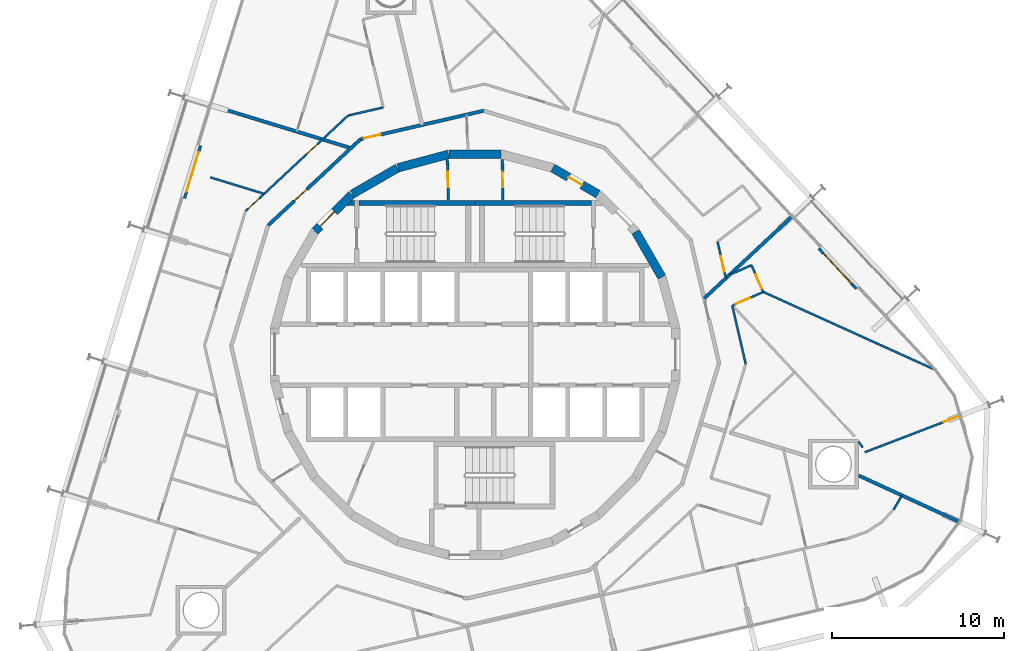
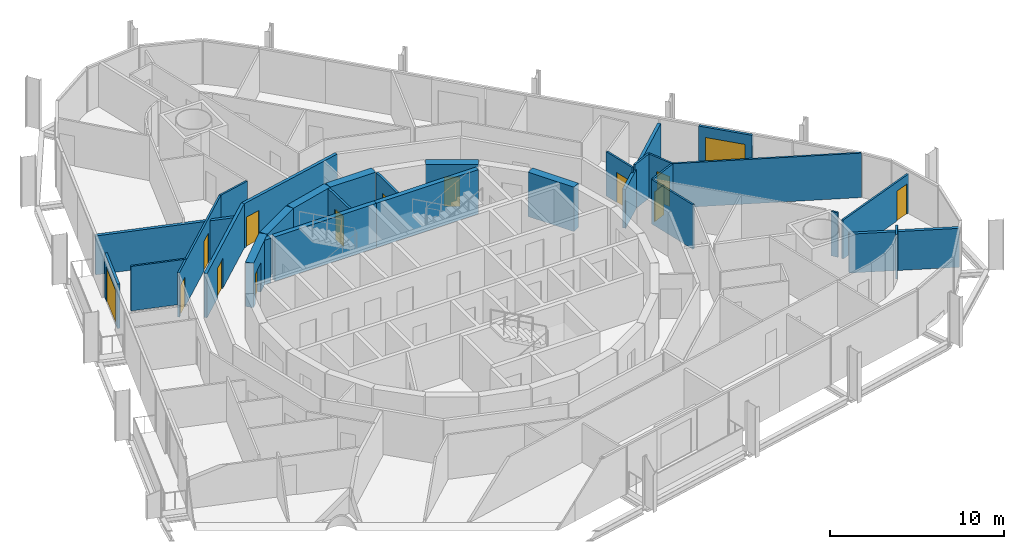
# One storey, part 15 of 18: 30 walls, 14 doors, 14 openings.
"""IFC4 building model written with IfcOpenShell, lengths in metres."""

import ifcopenshell
import ifcopenshell.guid

model = None  # the IFC model being written
_history = None  # IfcOwnerHistory: only IFC2X3 demands one
_inside = {}  # id of a spatial element -> (the spatial element, [elements in it])
_under = {}  # id of a project, library or spatial element -> (it, [spatial elements below it])
_declared = {}  # id of a project -> (the project, [libraries it declares])
_typed = {}  # id of a type object -> (the type object, [elements of that type])
_made_of = {}  # id of a material, layer set ... -> (it, [elements and type objects made of it])


def new_model(schema):
    """Start an empty IFC model of exactly this schema.

    Asked for "IFC4X3", IfcOpenShell would pick the latest addendum, in which some entities
    have other attributes; the version numbers below select the first issue.
    IFC2X3 requires an IfcOwnerHistory on every rooted entity: one is made here for all.
    """
    global model, _history
    if schema == "IFC4X3":
        model = ifcopenshell.file(schema_version=(4, 3, 0, 0))
    else:
        model = ifcopenshell.file(schema=schema)
    _inside.clear()
    _under.clear()
    _declared.clear()
    _typed.clear()
    _made_of.clear()
    _history = None
    if model.schema == "IFC2X3":
        org = make("IfcOrganization", Name="unknown")
        user = make(
            "IfcPersonAndOrganization",
            ThePerson=make("IfcPerson", FamilyName="unknown"),
            TheOrganization=org,
        )
        app = make(
            "IfcApplication",
            ApplicationDeveloper=org,
            Version="unknown",
            ApplicationFullName="unknown",
            ApplicationIdentifier="unknown",
        )
        _history = make(
            "IfcOwnerHistory",
            OwningUser=user,
            OwningApplication=app,
            ChangeAction="ADDED",
            CreationDate=0,
        )
    return model


def make(cls, **values):
    """One entity of the class cls with the attributes given. An attribute that is None is left unset."""
    return model.create_entity(
        cls, **{name: value for name, value in values.items() if value is not None}
    )


def rooted(cls, **values):
    """An entity with a GlobalId (a new one), such as an element, a storey or a relation."""
    return make(cls, GlobalId=ifcopenshell.guid.new(), OwnerHistory=_history, **values)


def si_unit(unit_type, name, prefix=None):
    """IfcSIUnit, for example si_unit("LENGTHUNIT", "METRE", prefix="MILLI")."""
    return make("IfcSIUnit", UnitType=unit_type, Prefix=prefix, Name=name)


def assignment(units):
    """IfcUnitAssignment: the units of a project."""
    return None if units is None else make("IfcUnitAssignment", Units=units)


def point(xyz):
    """IfcCartesianPoint."""
    return None if xyz is None else make("IfcCartesianPoint", Coordinates=xyz)


def direction(xyz):
    """IfcDirection."""
    return None if xyz is None else make("IfcDirection", DirectionRatios=xyz)


def frame(location, z_axis=None, x_axis=None):
    """IfcAxis2Placement3D, a coordinate frame: its origin and axes. An axis left out is left unset."""
    return make(
        "IfcAxis2Placement3D",
        Location=point(location),
        Axis=direction(z_axis),
        RefDirection=direction(x_axis),
    )


def frame_2d(location, x_axis=None):
    """IfcAxis2Placement2D, a coordinate frame in the plane: its origin and x axis."""
    return make(
        "IfcAxis2Placement2D", Location=point(location), RefDirection=direction(x_axis)
    )


def origin():
    """The frame at (0, 0, 0) with its axes left unset."""
    return frame((0.0, 0.0, 0.0))


def place(relative_to, where):
    """IfcLocalPlacement: puts the frame where relative to a parent placement (None: the world)."""
    return make(
        "IfcLocalPlacement", PlacementRelTo=relative_to, RelativePlacement=where
    )


def context(
    kind, dimensions, precision=None, world=None, true_north=None, identifier=None
):
    """IfcGeometricRepresentationContext, for example the 3D "Model" context."""
    return make(
        "IfcGeometricRepresentationContext",
        ContextIdentifier=identifier,
        ContextType=kind,
        CoordinateSpaceDimension=dimensions,
        Precision=precision,
        WorldCoordinateSystem=world,
        TrueNorth=true_north,
    )


def subcontext(parent, identifier, kind, view, scale=None):
    """IfcGeometricRepresentationSubContext, for example "Body" below "Model"."""
    return make(
        "IfcGeometricRepresentationSubContext",
        ContextIdentifier=identifier,
        ContextType=kind,
        ParentContext=parent,
        TargetScale=scale,
        TargetView=view,
    )


def project(units=None, contexts=None):
    """IfcProject with its units and contexts."""
    return rooted(
        "IfcProject",
        Name="project",
        RepresentationContexts=contexts,
        UnitsInContext=assignment(units),
    )


def spatial(cls, under=None, at=None, **own):
    """A site, building, storey or space (cls), placed at a placement, below another one or the project."""
    s = rooted(cls, ObjectPlacement=at, **own)
    if under is not None:
        _under.setdefault(under.id(), (under, []))[1].append(s)
    return s


def polyline(points):
    """IfcPolyline through the points."""
    return make("IfcPolyline", Points=[point(p) for p in points])


def profile(cls, at=None, kind="AREA", **sizes):
    """A parametric profile (cls). Its sizes go by their IFC names, for example OverallWidth=200.0."""
    return make(cls, ProfileType=kind, Position=at, **sizes)


def rectangle(**sizes):
    """IfcRectangleProfileDef."""
    return profile("IfcRectangleProfileDef", **sizes)


def outline(outer, holes=None, kind="AREA"):
    """IfcArbitraryClosedProfileDef: a profile drawn as a closed curve; with holes, ...WithVoids."""
    if holes is None:
        return make("IfcArbitraryClosedProfileDef", ProfileType=kind, OuterCurve=outer)
    return make(
        "IfcArbitraryProfileDefWithVoids",
        ProfileType=kind,
        OuterCurve=outer,
        InnerCurves=holes,
    )


def extrude(swept, where, along, depth):
    """IfcExtrudedAreaSolid: the profile swept, set in the frame where, extruded along a direction by depth."""
    return make(
        "IfcExtrudedAreaSolid",
        SweptArea=swept,
        Position=where,
        ExtrudedDirection=direction(along),
        Depth=depth,
    )


def shape(context_of_items, identifier, shape_type, items):
    """IfcShapeRepresentation: the items that make up one representation, for example the "Body"."""
    return make(
        "IfcShapeRepresentation",
        ContextOfItems=context_of_items,
        RepresentationIdentifier=identifier,
        RepresentationType=shape_type,
        Items=items,
    )


def material(Name=None, Category=None):
    """IfcMaterial."""
    return make("IfcMaterial", Name=Name, Category=Category)


def layer(
    of_material, thickness, ventilated=None, Name=None, Category=None, Priority=None
):
    """IfcMaterialLayer: one layer of a wall or slab, of a material (None: an air gap)."""
    return make(
        "IfcMaterialLayer",
        Material=of_material,
        LayerThickness=thickness,
        IsVentilated=ventilated,
        Name=Name,
        Category=Category,
        Priority=Priority,
    )


def layer_set(layers, Name=None):
    """IfcMaterialLayerSet."""
    return make("IfcMaterialLayerSet", MaterialLayers=layers, LayerSetName=Name)


def made_of(thing, what):
    """Note that an element or type object is made of a material, layer set ...; save() writes the relation."""
    if what is not None:
        _made_of.setdefault(what.id(), (what, []))[1].append(thing)
    return thing


def type_object(cls, material=None, **own):
    """A type object (cls), such as IfcWallType, which elements share."""
    return made_of(rooted(cls, **own), material)


def element(
    cls,
    number,
    at=None,
    inside=None,
    cuts=None,
    type_object=None,
    material=None,
    context=None,
    identifier="Body",
    shape_type=None,
    held_by="IfcProductDefinitionShape",
    body=None,
    shapes=None,
    **own,
):
    """One element of the class cls, such as IfcWall. Its Tag is "e" and its number.

    at: its placement. inside: the storey or other place that contains it. cuts: it is an
    opening in that element (IfcRelVoidsElement). A single representation is given by context,
    identifier, shape_type and body (its items); several are given by shapes. held_by: the class
    of the entity that holds the representations. save() writes the other relations.
    """
    e = rooted(cls, Tag="e%d" % number, ObjectPlacement=at, **own)
    if body is not None:
        shapes = [shape(context, identifier, shape_type, body)]
    if shapes is not None:
        e.Representation = make(held_by, Representations=shapes)
    if inside is not None:
        _inside.setdefault(inside.id(), (inside, []))[1].append(e)
    if cuts is not None:
        rooted(
            "IfcRelVoidsElement", RelatingBuildingElement=cuts, RelatedOpeningElement=e
        )
    if type_object is not None:
        _typed.setdefault(type_object.id(), (type_object, []))[1].append(e)
    return made_of(e, material)


def fill(opening, filler):
    """IfcRelFillsElement: the door or window that sits in an opening."""
    return rooted(
        "IfcRelFillsElement",
        RelatingOpeningElement=opening,
        RelatedBuildingElement=filler,
    )


def aggregate(whole, parts):
    """IfcRelAggregates: a whole, such as a stair, and the parts it consists of."""
    return rooted("IfcRelAggregates", RelatingObject=whole, RelatedObjects=parts)


def save(model, path):
    """Write the relations noted so far, then the file.

    IfcRelAggregates (storeys below a building ...), IfcRelContainedInSpatialStructure (elements
    in a storey), IfcRelDefinesByType, IfcRelAssociatesMaterial and IfcRelDeclares: one each for
    every whole, place, type object, material and project.
    """
    for whole, parts in _under.values():
        aggregate(whole, parts)
    for where, things in _inside.values():
        rooted(
            "IfcRelContainedInSpatialStructure",
            RelatedElements=things,
            RelatingStructure=where,
        )
    for kind, things in _typed.values():
        rooted("IfcRelDefinesByType", RelatedObjects=things, RelatingType=kind)
    for what, things in _made_of.values():
        rooted("IfcRelAssociatesMaterial", RelatedObjects=things, RelatingMaterial=what)
    for by, libraries in _declared.values():
        rooted("IfcRelDeclares", RelatingContext=by, RelatedDefinitions=libraries)
    model.write(path)


model = new_model("IFC4")

# Units and contexts
model_context = context("Model", 3, precision=1e-05, world=origin(), true_north=direction((0.0, 1.0)))
body_context = subcontext(model_context, "Body", "Model", "MODEL_VIEW")
ifc_project = project(units=[si_unit("LENGTHUNIT", "METRE"), si_unit("AREAUNIT", "SQUARE_METRE"), si_unit("VOLUMEUNIT", "CUBIC_METRE"), si_unit("PLANEANGLEUNIT", "RADIAN"), si_unit("MASSUNIT", "GRAM", prefix="KILO")], contexts=[model_context])

# Site, building, storey
site_placement = place(None, origin())
site = spatial("IfcSite", under=ifc_project, at=site_placement, CompositionType="ELEMENT")
building_placement = place(site_placement, origin())
building = spatial("IfcBuilding", under=site, at=building_placement, Name="Spindle Arch Residences", CompositionType="ELEMENT")
storey_placement = place(building_placement, frame((0.0, 0.0, 123.89990234375)))
storey = spatial("IfcBuildingStorey", under=building, at=storey_placement, Name="L30", CompositionType="ELEMENT", Elevation=123.89990234375)

# Wall
ifc_material_1 = material(Name="Concrete C50/60", Category="concrete")
ifc_layer_1 = layer(ifc_material_1, 0.5)
ifc_layer_set_1 = layer_set([ifc_layer_1], Name="Core outline wall 500")
wall_type_1 = type_object("IfcWallType", Name="Core outline wall 500", PredefinedType="SHEAR", material=ifc_layer_set_1)
wall_1_placement = place(storey_placement, frame((10.84521484375, 4.510498046875, 0.0), z_axis=(0.0, 0.0, 1.0), x_axis=(-0.500087131594, 0.865975092491, 0.0)))
element("IfcWall", 1, at=wall_1_placement, inside=storey, type_object=wall_type_1, Name="Core outline wall 8", PredefinedType="SHEAR", context=body_context, shape_type="SweptSolid", body=[
    extrude(rectangle(XDim=3.03271484375, YDim=0.5, at=frame_2d((1.516357421875, 0.0))), origin(), (0.0, 0.0, 1.0), 3.1201171875),
])

# Wall, opening, door
wall_2_placement = place(storey_placement, frame((7.13671875, 9.32861328125, 0.0), z_axis=(0.0, 0.0, 1.0), x_axis=(-0.865975092491, 0.500087131594, 0.0)))
wall_2 = element("IfcWall", 2, at=wall_2_placement, inside=storey, type_object=wall_type_1, Name="Core outline wall 10", PredefinedType="SHEAR", context=body_context, shape_type="SweptSolid", body=[
    extrude(rectangle(XDim=3.03271484375, YDim=0.5, at=frame_2d((1.516357421875, 0.0))), origin(), (0.0, 0.0, 1.0), 3.1201171875),
])
opening_1_placement = place(wall_2_placement, frame((1.06640625, 0.0, 0.0)))
opening_1 = element("IfcOpeningElement", 3, at=opening_1_placement, cuts=wall_2, Name="Opening R3B1-WD11", PredefinedType="OPENING", context=body_context, shape_type="SweptSolid", body=[
    extrude(rectangle(XDim=0.89990234375, YDim=2.10009765625, at=frame_2d((0.449951171875, 1.050048828125))), frame((0.0, 0.260009765625, 0.0), z_axis=(0.0, -1.0, 0.0), x_axis=(1.0, 0.0, 0.0)), (0.0, 0.0, 1.0), 0.52001953125),
])
ifc_material_2 = material(Name="Steel, fire-resisting door", Category="steel")
door_type_1 = type_object("IfcDoorType", Name="Service room door 900x2100", OperationType="SINGLE_SWING_LEFT", PredefinedType="DOOR", material=ifc_material_2)
door_1_placement = place(opening_1_placement, origin())
door_1 = element("IfcDoor", 4, at=door_1_placement, inside=storey, type_object=door_type_1, Name="Service room door R3B1-WD11", OperationType="SINGLE_SWING_RIGHT", OverallHeight=2.10009765625, OverallWidth=0.89990234375, PredefinedType="DOOR", context=body_context, shape_type="SweptSolid", body=[
    extrude(rectangle(XDim=0.89990234375, YDim=2.10009765625, at=frame_2d((0.449951171875, 1.050048828125))), frame((0.0, 0.02490234375, 0.0), z_axis=(0.0, -1.0, 0.0), x_axis=(1.0, 0.0, 0.0)), (0.0, 0.0, 1.0), 0.050048828125),
])
fill(opening_1, door_1)

# Walls
for number, where, z_axis, x_axis, name in (
    (5, (1.516357421875, 11.647216796875, 0.0), (0.0, 0.0, 1.0), (-1.0, 0.0, 0.0), "Core outline wall 12"),
    (6, (-1.5498046875, 11.642822265625, 0.0), (0.0, 0.0, 1.0), (-0.965948410781, -0.258734743916, 0.0), "Core outline wall 13"),
    (7, (-4.510498046875, 10.84521484375, 0.0), (0.0, 0.0, 1.0), (-0.865975092491, -0.500087131594, 0.0), "Core outline wall 14"),
):
    element("IfcWall", number, at=place(storey_placement, frame(where, z_axis=z_axis, x_axis=x_axis)), inside=storey, type_object=wall_type_1, Name=name, PredefinedType="SHEAR", context=body_context, shape_type="SweptSolid", body=[
        extrude(rectangle(XDim=3.03271484375, YDim=0.5, at=frame_2d((1.516357421875, 0.0))), origin(), (0.0, 0.0, 1.0), 3.1201171875),
    ])

# Wall, opening, door
wall_3_placement = place(storey_placement, frame((-7.163818359375, 9.30810546875, 0.0), z_axis=(0.0, 0.0, 1.0), x_axis=(-0.707106781187, -0.707106781187, 0.0)))
wall_3 = element("IfcWall", 8, at=wall_3_placement, inside=storey, type_object=wall_type_1, Name="Core outline wall 15", PredefinedType="SHEAR", context=body_context, shape_type="SweptSolid", body=[
    extrude(rectangle(XDim=3.032470703125, YDim=0.5, at=frame_2d((1.51611328125, 0.0))), origin(), (0.0, 0.0, 1.0), 3.1201171875),
])
opening_2_placement = place(wall_3_placement, frame((1.416259765625, 0.0, 0.0)))
opening_2 = element("IfcOpeningElement", 9, at=opening_2_placement, cuts=wall_3, Name="Opening R3B1-AD02", PredefinedType="OPENING", context=body_context, shape_type="SweptSolid", body=[
    extrude(rectangle(XDim=1.199951171875, YDim=2.10009765625, at=frame_2d((0.60009765625, 1.050048828125))), frame((0.0, 0.260009765625, 0.0), z_axis=(0.0, -1.0, 0.0), x_axis=(1.0, 0.0, 0.0)), (0.0, 0.0, 1.0), 0.52001953125),
])
ifc_material_3 = material(Name="Steel, fire-resisting door", Category="steel")
door_type_2 = type_object("IfcDoorType", Name="Stair airlock door 1200x2100", OperationType="SINGLE_SWING_LEFT", PredefinedType="DOOR", material=ifc_material_3)
door_2_placement = place(opening_2_placement, origin())
door_2 = element("IfcDoor", 10, at=door_2_placement, inside=storey, type_object=door_type_2, Name="Stair airlock door R3B1-AD02", OperationType="SINGLE_SWING_RIGHT", OverallHeight=2.10009765625, OverallWidth=1.199951171875, PredefinedType="DOOR", context=body_context, shape_type="SweptSolid", body=[
    extrude(rectangle(XDim=1.199951171875, YDim=2.10009765625, at=frame_2d((0.60009765625, 1.050048828125))), frame((0.0, 0.02490234375, 0.0), z_axis=(0.0, -1.0, 0.0), x_axis=(1.0, 0.0, 0.0)), (0.0, 0.0, 1.0), 0.050048828125),
])
fill(opening_2, door_2)

ifc_material_4 = material(Name="Calcium silicate block, plastered")
ifc_layer_2 = layer(ifc_material_4, 0.199951171875)
ifc_layer_set_2 = layer_set([ifc_layer_2], Name="Corridor wall 200")
wall_type_2 = type_object("IfcWallType", Name="Corridor wall 200", PredefinedType="STANDARD", material=ifc_layer_set_2)
wall_4_placement = place(storey_placement, frame((0.4951171875, 14.174560546875, 0.0), z_axis=(0.0, 0.0, 1.0), x_axis=(-0.974376622151, -0.224922649383, 0.0)))
wall_4 = element("IfcWall", 11, at=wall_4_placement, inside=storey, type_object=wall_type_2, Name="Corridor wall R3B1-W007", PredefinedType="STANDARD", context=body_context, shape_type="SweptSolid", body=[
    extrude(rectangle(XDim=7.342041015625, YDim=0.199951171875, at=frame_2d((3.6708984375, 0.0))), origin(), (0.0, 0.0, 1.0), 3.1201171875),
])
opening_3_placement = place(wall_4_placement, frame((6.141845703125, 0.0, 0.0)))
opening_3 = element("IfcOpeningElement", 12, at=opening_3_placement, cuts=wall_4, Name="Opening R3B1-FD02", PredefinedType="OPENING", context=body_context, shape_type="SweptSolid", body=[
    extrude(rectangle(XDim=1.0, YDim=2.10009765625, at=frame_2d((0.5, 1.050048828125))), frame((0.0, 0.10986328125, 0.0), z_axis=(0.0, -1.0, 0.0), x_axis=(1.0, 0.0, 0.0)), (0.0, 0.0, 1.0), 0.219970703125),
])
ifc_material_5 = material(Name="Timber, fire-resisting door set", Category="wood")
door_type_3 = type_object("IfcDoorType", Name="Flat entrance door 1000x2100", OperationType="NOTDEFINED", PredefinedType="DOOR", material=ifc_material_5)
door_3_placement = place(opening_3_placement, origin())
door_3 = element("IfcDoor", 13, at=door_3_placement, inside=storey, type_object=door_type_3, Name="Flat entrance door R3B1-FD02", OperationType="SINGLE_SWING_LEFT", OverallHeight=2.10009765625, OverallWidth=1.0, PredefinedType="DOOR", context=body_context, shape_type="SweptSolid", body=[
    extrude(rectangle(XDim=1.0, YDim=2.10009765625, at=frame_2d((0.5, 1.050048828125))), frame((0.0, 0.02490234375, 0.0), z_axis=(0.0, -1.0, 0.0), x_axis=(1.0, 0.0, 0.0)), (0.0, 0.0, 1.0), 0.050048828125),
])
fill(opening_3, door_3)

wall_5_placement = place(storey_placement, frame((-6.65869140625, 12.523193359375, 0.0), z_axis=(0.0, 0.0, 1.0), x_axis=(-0.731350455479, -0.682001841105, 0.0)))
wall_5 = element("IfcWall", 14, at=wall_5_placement, inside=storey, type_object=wall_type_2, Name="Corridor wall R3B1-W009", PredefinedType="STANDARD", context=body_context, shape_type="SweptSolid", body=[
    extrude(rectangle(XDim=7.341796875, YDim=0.199951171875, at=frame_2d((3.6708984375, 0.0))), origin(), (0.0, 0.0, 1.0), 3.1201171875),
])
opening_4_placement = place(wall_5_placement, frame((4.26416015625, 0.0, 0.0)))
opening_4 = element("IfcOpeningElement", 15, at=opening_4_placement, cuts=wall_5, Name="Opening R3B1-FD03", PredefinedType="OPENING", context=body_context, shape_type="SweptSolid", body=[
    extrude(rectangle(XDim=1.0, YDim=2.10009765625, at=frame_2d((0.5, 1.050048828125))), frame((0.0, 0.10986328125, 0.0), z_axis=(0.0, -1.0, 0.0), x_axis=(1.0, 0.0, 0.0)), (0.0, 0.0, 1.0), 0.219970703125),
])
door_4_placement = place(opening_4_placement, origin())
door_4 = element("IfcDoor", 16, at=door_4_placement, inside=storey, type_object=door_type_3, Name="Flat entrance door R3B1-FD03", OperationType="SINGLE_SWING_LEFT", OverallHeight=2.10009765625, OverallWidth=1.0, PredefinedType="DOOR", context=body_context, shape_type="SweptSolid", body=[
    extrude(rectangle(XDim=1.0, YDim=2.10009765625, at=frame_2d((0.5, 1.050048828125))), frame((0.0, 0.02490234375, 0.0), z_axis=(0.0, -1.0, 0.0), x_axis=(1.0, 0.0, 0.0)), (0.0, 0.0, 1.0), 0.050048828125),
])
fill(opening_4, door_4)

ifc_material_6 = material(Name="Plasterboard on steel studs", Category="steel")
ifc_layer_3 = layer(ifc_material_6, 0.1201171875)
ifc_layer_set_3 = layer_set([ifc_layer_3], Name="Flat partition 120")
wall_type_3 = type_object("IfcWallType", Name="Flat partition 120", PredefinedType="PARTITIONING", material=ifc_layer_set_3)
wall_6_placement = place(storey_placement, frame((14.5732421875, 4.447021484375, 0.0), z_axis=(0.0, 0.0, 1.0), x_axis=(-0.225006886074, 0.97435717333, 0.0)))
wall_6 = element("IfcWall", 17, at=wall_6_placement, inside=storey, type_object=wall_type_3, Name="Flat partition R3B1-W027", PredefinedType="PARTITIONING", context=body_context, shape_type="SweptSolid", body=[
    extrude(rectangle(XDim=2.177734375, YDim=0.1201171875, at=frame_2d((1.0888671875, 0.0))), origin(), (0.0, 0.0, 1.0), 3.1201171875),
])
opening_5_placement = place(wall_6_placement, frame((0.39990234375, 0.0, 0.0)))
opening_5 = element("IfcOpeningElement", 18, at=opening_5_placement, cuts=wall_6, Name="Opening R3B1-ID01", PredefinedType="OPENING", context=body_context, shape_type="SweptSolid", body=[
    extrude(rectangle(XDim=0.89990234375, YDim=2.10009765625, at=frame_2d((0.449951171875, 1.050048828125))), frame((0.0, 0.070068359375, 0.0), z_axis=(0.0, -1.0, 0.0), x_axis=(1.0, 0.0, 0.0)), (0.0, 0.0, 1.0), 0.14013671875),
])
ifc_material_7 = material(Name="Timber door set", Category="wood")
door_type_4 = type_object("IfcDoorType", Name="Room door 900x2100", OperationType="NOTDEFINED", PredefinedType="DOOR", material=ifc_material_7)
door_5_placement = place(opening_5_placement, origin())
door_5 = element("IfcDoor", 19, at=door_5_placement, inside=storey, type_object=door_type_4, Name="Room door R3B1-ID01", OperationType="SINGLE_SWING_LEFT", OverallHeight=2.10009765625, OverallWidth=0.89990234375, PredefinedType="DOOR", context=body_context, shape_type="SweptSolid", body=[
    extrude(rectangle(XDim=0.89990234375, YDim=2.10009765625, at=frame_2d((0.449951171875, 1.050048828125))), frame((0.0, 0.02490234375, 0.0), z_axis=(0.0, -1.0, 0.0), x_axis=(1.0, 0.0, 0.0)), (0.0, 0.0, 1.0), 0.050048828125),
])
fill(opening_5, door_5)

# Wall
wall_7_placement = place(storey_placement, frame((-5.341552734375, 14.36669921875, 0.0), z_axis=(0.0, 0.0, 1.0), x_axis=(-0.974367677287, -0.224961395484, 0.0)))
element("IfcWall", 20, at=wall_7_placement, inside=storey, type_object=wall_type_3, Name="Flat partition R3B1-W049", PredefinedType="PARTITIONING", context=body_context, shape_type="SweptSolid", body=[
    extrude(rectangle(XDim=2.099853515625, YDim=0.1201171875, at=frame_2d((1.0498046875, 0.0))), origin(), (0.0, 0.0, 1.0), 3.1201171875),
])

# Wall, openings, doors
wall_8_placement = place(storey_placement, frame((-7.3876953125, 13.894287109375, 0.0), z_axis=(0.0, 0.0, 1.0), x_axis=(-0.731357186721, -0.681994622729, 0.0)))
wall_8 = element("IfcWall", 21, at=wall_8_placement, inside=storey, type_object=wall_type_3, Name="Flat partition R3B1-W050", PredefinedType="PARTITIONING", context=body_context, shape_type="SweptSolid", body=[
    extrude(rectangle(XDim=8.145751953125, YDim=0.1201171875, at=frame_2d((4.07275390625, 0.0))), origin(), (0.0, 0.0, 1.0), 3.1201171875),
])
opening_6_placement = place(wall_8_placement, frame((2.431884765625, 0.0, 0.0)))
opening_6 = element("IfcOpeningElement", 22, at=opening_6_placement, cuts=wall_8, Name="Opening R3B1-ID11", PredefinedType="OPENING", context=body_context, shape_type="SweptSolid", body=[
    extrude(rectangle(XDim=0.89990234375, YDim=2.10009765625, at=frame_2d((0.449951171875, 1.050048828125))), frame((0.0, 0.070068359375, 0.0), z_axis=(0.0, -1.0, 0.0), x_axis=(1.0, 0.0, 0.0)), (0.0, 0.0, 1.0), 0.14013671875),
])
opening_7_placement = place(wall_8_placement, frame((7.045654296875, 0.0, 0.0)))
opening_7 = element("IfcOpeningElement", 23, at=opening_7_placement, cuts=wall_8, Name="Opening R3B1-ID12", PredefinedType="OPENING", context=body_context, shape_type="SweptSolid", body=[
    extrude(rectangle(XDim=0.89990234375, YDim=2.10009765625, at=frame_2d((0.449951171875, 1.050048828125))), frame((0.0, 0.070068359375, 0.0), z_axis=(0.0, -1.0, 0.0), x_axis=(1.0, 0.0, 0.0)), (0.0, 0.0, 1.0), 0.14013671875),
])
door_6_placement = place(opening_6_placement, origin())
door_6 = element("IfcDoor", 24, at=door_6_placement, inside=storey, type_object=door_type_4, Name="Room door R3B1-ID11", OperationType="SINGLE_SWING_LEFT", OverallHeight=2.10009765625, OverallWidth=0.89990234375, PredefinedType="DOOR", context=body_context, shape_type="SweptSolid", body=[
    extrude(rectangle(XDim=0.89990234375, YDim=2.10009765625, at=frame_2d((0.449951171875, 1.050048828125))), frame((0.0, 0.02490234375, 0.0), z_axis=(0.0, -1.0, 0.0), x_axis=(1.0, 0.0, 0.0)), (0.0, 0.0, 1.0), 0.050048828125),
])
fill(opening_6, door_6)
door_7_placement = place(opening_7_placement, origin())
door_7 = element("IfcDoor", 25, at=door_7_placement, inside=storey, type_object=door_type_4, Name="Room door R3B1-ID12", OperationType="SINGLE_SWING_LEFT", OverallHeight=2.10009765625, OverallWidth=0.89990234375, PredefinedType="DOOR", context=body_context, shape_type="SweptSolid", body=[
    extrude(rectangle(XDim=0.89990234375, YDim=2.10009765625, at=frame_2d((0.449951171875, 1.050048828125))), frame((0.0, 0.02490234375, 0.0), z_axis=(0.0, -1.0, 0.0), x_axis=(1.0, 0.0, 0.0)), (0.0, 0.0, 1.0), 0.050048828125),
])
fill(opening_7, door_7)

# Walls
wall_9_placement = place(storey_placement, frame((-15.381591796875, 10.300048828125, 0.0), z_axis=(0.0, 0.0, 1.0), x_axis=(0.956302139964, -0.292380261134, 0.0)))
element("IfcWall", 26, at=wall_9_placement, inside=storey, type_object=wall_type_3, Name="Flat partition R3B1-W062", PredefinedType="PARTITIONING", context=body_context, shape_type="SweptSolid", body=[
    extrude(rectangle(XDim=3.259765625, YDim=0.1201171875, at=frame_2d((1.6298828125, 0.0))), origin(), (0.0, 0.0, 1.0), 3.1201171875),
])
wall_10_placement = place(storey_placement, frame((24.8017578125, -8.18603515625, 0.0), z_axis=(0.0, 0.0, 1.0), x_axis=(-0.505043103481, -0.863094122113, 0.0)))
element("IfcWall", 27, at=wall_10_placement, inside=storey, type_object=wall_type_3, Name="Flat partition R3B1-W094", PredefinedType="PARTITIONING", context=body_context, shape_type="SweptSolid", body=[
    extrude(rectangle(XDim=0.945068359375, YDim=0.1201171875, at=frame_2d((0.47265625, 0.0))), origin(), (0.0, 0.0, 1.0), 3.1201171875),
])

# Wall, opening, door
wall_11_placement = place(storey_placement, frame((16.74658203125, 3.64501953125, 0.0), z_axis=(0.0, 0.0, 1.0), x_axis=(-0.40401852801, 0.914750801598, 0.0)))
wall_11 = element("IfcWall", 28, at=wall_11_placement, inside=storey, type_object=wall_type_3, Name="Flat partition R3B1-W099", PredefinedType="PARTITIONING", context=body_context, shape_type="SweptSolid", body=[
    extrude(rectangle(XDim=1.699951171875, YDim=0.1201171875, at=frame_2d((0.85009765625, 0.0))), origin(), (0.0, 0.0, 1.0), 3.1201171875),
])
opening_8_placement = place(wall_11_placement, frame((0.199951171875, 0.0, 0.0)))
opening_8 = element("IfcOpeningElement", 29, at=opening_8_placement, cuts=wall_11, Name="Opening R3B1-ID29", PredefinedType="OPENING", context=body_context, shape_type="SweptSolid", body=[
    extrude(rectangle(XDim=0.89990234375, YDim=2.10009765625, at=frame_2d((0.449951171875, 1.050048828125))), frame((0.0, 0.070068359375, 0.0), z_axis=(0.0, -1.0, 0.0), x_axis=(1.0, 0.0, 0.0)), (0.0, 0.0, 1.0), 0.14013671875),
])
door_8_placement = place(opening_8_placement, origin())
door_8 = element("IfcDoor", 30, at=door_8_placement, inside=storey, type_object=door_type_4, Name="Room door R3B1-ID29", OperationType="SINGLE_SWING_LEFT", OverallHeight=2.10009765625, OverallWidth=0.89990234375, PredefinedType="DOOR", context=body_context, shape_type="SweptSolid", body=[
    extrude(rectangle(XDim=0.89990234375, YDim=2.10009765625, at=frame_2d((0.449951171875, 1.050048828125))), frame((0.0, 0.02490234375, 0.0), z_axis=(0.0, -1.0, 0.0), x_axis=(1.0, 0.0, 0.0)), (0.0, 0.0, 1.0), 0.050048828125),
])
fill(opening_8, door_8)

# Walls
wall_12_placement = place(storey_placement, frame((16.059814453125, 5.199951171875, 0.0), z_axis=(0.0, 0.0, 1.0), x_axis=(-0.91479626238, -0.403915583179, 0.0)))
element("IfcWall", 31, at=wall_12_placement, inside=storey, type_object=wall_type_3, Name="Flat partition R3B1-W100", PredefinedType="PARTITIONING", context=body_context, shape_type="SweptSolid", body=[
    extrude(rectangle(XDim=1.396728515625, YDim=0.1201171875, at=frame_2d((0.6982421875, 0.0))), origin(), (0.0, 0.0, 1.0), 3.1201171875),
])
wall_13_placement = place(storey_placement, frame((15.7265625, -0.54931640625, 0.0), z_axis=(0.0, 0.0, 1.0), x_axis=(-0.224900416367, 0.974381754097, 0.0)))
element("IfcWall", 32, at=wall_13_placement, inside=storey, type_object=wall_type_3, Name="Flat partition R3B1-W101", PredefinedType="PARTITIONING", context=body_context, shape_type="SweptSolid", body=[
    extrude(rectangle(XDim=3.48681640625, YDim=0.1201171875, at=frame_2d((1.743408203125, 0.0))), origin(), (0.0, 0.0, 1.0), 3.1201171875),
])

# Wall, opening, door
wall_14_placement = place(storey_placement, frame((14.9619140625, 2.856689453125, 0.0), z_axis=(0.0, 0.0, 1.0), x_axis=(0.914732858216, 0.404059151734, 0.0)))
wall_14 = element("IfcWall", 33, at=wall_14_placement, inside=storey, type_object=wall_type_3, Name="Flat partition R3B1-W102", PredefinedType="PARTITIONING", context=body_context, shape_type="SweptSolid", body=[
    extrude(rectangle(XDim=1.950927734375, YDim=0.1201171875, at=frame_2d((0.9755859375, 0.0))), origin(), (0.0, 0.0, 1.0), 3.1201171875),
])
opening_9_placement = place(wall_14_placement, frame((0.199951171875, 0.0, 0.0)))
opening_9 = element("IfcOpeningElement", 34, at=opening_9_placement, cuts=wall_14, Name="Opening R3B1-ID30", PredefinedType="OPENING", context=body_context, shape_type="SweptSolid", body=[
    extrude(rectangle(XDim=0.89990234375, YDim=2.10009765625, at=frame_2d((0.449951171875, 1.050048828125))), frame((0.0, 0.070068359375, 0.0), z_axis=(0.0, -1.0, 0.0), x_axis=(1.0, 0.0, 0.0)), (0.0, 0.0, 1.0), 0.14013671875),
])
door_9_placement = place(opening_9_placement, origin())
door_9 = element("IfcDoor", 35, at=door_9_placement, inside=storey, type_object=door_type_4, Name="Room door R3B1-ID30", OperationType="SINGLE_SWING_RIGHT", OverallHeight=2.10009765625, OverallWidth=0.89990234375, PredefinedType="DOOR", context=body_context, shape_type="SweptSolid", body=[
    extrude(rectangle(XDim=0.89990234375, YDim=2.10009765625, at=frame_2d((0.449951171875, 1.050048828125))), frame((0.0, 0.02490234375, 0.0), z_axis=(0.0, -1.0, 0.0), x_axis=(1.0, 0.0, 0.0)), (0.0, 0.0, 1.0), 0.050048828125),
])
fill(opening_9, door_9)

# Walls
wall_15_placement = place(storey_placement, frame((16.74658203125, 3.64501953125, 0.0), z_axis=(0.0, 0.0, 1.0), x_axis=(0.910796273175, -0.412856087238, 0.0)))
element("IfcWall", 36, at=wall_15_placement, inside=storey, type_object=wall_type_3, Name="Flat partition R3B1-W103", PredefinedType="PARTITIONING", context=body_context, shape_type="SweptSolid", body=[
    extrude(rectangle(XDim=10.90087890625, YDim=0.1201171875, at=frame_2d((5.450439453125, 0.0))), origin(), (0.0, 0.0, 1.0), 3.1201171875),
])
wall_16_placement = place(storey_placement, frame((22.532470703125, -5.398681640625, 0.0), z_axis=(0.0, 0.0, 1.0), x_axis=(-0.592456078431, 0.805602752683, 0.0)))
element("IfcWall", 37, at=wall_16_placement, inside=storey, type_object=wall_type_3, Name="Flat partition R3B1-W105", PredefinedType="PARTITIONING", context=body_context, shape_type="SweptSolid", body=[
    extrude(rectangle(XDim=0.426025390625, YDim=0.1201171875, at=frame_2d((0.212890625, 0.0))), origin(), (0.0, 0.0, 1.0), 3.1201171875),
])

# Wall, opening, door
ifc_material_8 = material(Name="Plasterboard on steel studs", Category="steel")
ifc_layer_4 = layer(ifc_material_8, 0.1201171875)
ifc_layer_set_4 = layer_set([ifc_layer_4], Name="Flat partition 120 under beam 2730")
wall_type_4 = type_object("IfcWallType", Name="Flat partition 120 under beam 2730", PredefinedType="PARTITIONING", material=ifc_layer_set_4)
wall_17_placement = place(storey_placement, frame((28.2548828125, -3.524658203125, 0.0), z_axis=(0.0, 0.0, 1.0), x_axis=(-0.933839412031, -0.357692539114, 0.0)))
wall_17 = element("IfcWall", 38, at=wall_17_placement, inside=storey, type_object=wall_type_4, Name="Flat partition R3B1-W104", PredefinedType="PARTITIONING", context=body_context, shape_type="SweptSolid", body=[
    extrude(rectangle(XDim=6.003662109375, YDim=0.1201171875, at=frame_2d((3.001953125, 0.0))), origin(), (0.0, 0.0, 1.0), 2.72998046875),
])
opening_10_placement = place(wall_17_placement, frame((0.199951171875, 0.0, 0.0)))
opening_10 = element("IfcOpeningElement", 39, at=opening_10_placement, cuts=wall_17, Name="Opening R3B1-ID31", PredefinedType="OPENING", context=body_context, shape_type="SweptSolid", body=[
    extrude(rectangle(XDim=0.89990234375, YDim=2.10009765625, at=frame_2d((0.449951171875, 1.050048828125))), frame((0.0, 0.070068359375, 0.0), z_axis=(0.0, -1.0, 0.0), x_axis=(1.0, 0.0, 0.0)), (0.0, 0.0, 1.0), 0.14013671875),
])
door_10_placement = place(opening_10_placement, origin())
door_10 = element("IfcDoor", 40, at=door_10_placement, inside=storey, type_object=door_type_4, Name="Room door R3B1-ID31", OperationType="SINGLE_SWING_LEFT", OverallHeight=2.10009765625, OverallWidth=0.89990234375, PredefinedType="DOOR", context=body_context, shape_type="SweptSolid", body=[
    extrude(rectangle(XDim=0.89990234375, YDim=2.10009765625, at=frame_2d((0.449951171875, 1.050048828125))), frame((0.0, 0.02490234375, 0.0), z_axis=(0.0, -1.0, 0.0), x_axis=(1.0, 0.0, 0.0)), (0.0, 0.0, 1.0), 0.050048828125),
])
fill(opening_10, door_10)

# Walls
ifc_material_9 = material(Name="Calcium silicate block, plastered")
ifc_layer_5 = layer(ifc_material_9, 0.199951171875)
ifc_layer_set_5 = layer_set([ifc_layer_5], Name="Flat party wall 200 under beam 2730")
wall_type_5 = type_object("IfcWallType", Name="Flat party wall 200 under beam 2730", PredefinedType="STANDARD", material=ifc_layer_set_5)
wall_18_placement = place(storey_placement, frame((13.3076171875, 3.2607421875, 0.0), z_axis=(0.0, 0.0, 1.0), x_axis=(0.731356087831, 0.681995801154, 0.0)))
element("IfcWall", 41, at=wall_18_placement, inside=storey, type_object=wall_type_5, Name="Flat party wall R3B1-W018", PredefinedType="STANDARD", context=body_context, shape_type="SweptSolid", body=[
    extrude(rectangle(XDim=6.934326171875, YDim=0.199951171875, at=frame_2d((3.46728515625, 0.0))), origin(), (0.0, 0.0, 1.0), 2.72998046875),
])
wall_19_placement = place(storey_placement, frame((-15.32666015625, 14.481201171875, 0.0), z_axis=(0.0, 0.0, 1.0), x_axis=(0.956303504869, -0.292375796837, 0.0)))
element("IfcWall", 42, at=wall_19_placement, inside=storey, type_object=wall_type_5, Name="Flat party wall R3B1-W019", PredefinedType="STANDARD", context=body_context, shape_type="SweptSolid", body=[
    extrude(rectangle(XDim=8.479736328125, YDim=0.199951171875, at=frame_2d((4.23974609375, 0.0))), origin(), (0.0, 0.0, 1.0), 2.72998046875),
])
wall_20_placement = place(storey_placement, frame((28.091796875, -9.691650390625, 0.0), z_axis=(0.0, 0.0, 1.0), x_axis=(-0.908656456134, 0.417544542206, 0.0)))
element("IfcWall", 43, at=wall_20_placement, inside=storey, type_object=wall_type_5, Name="Flat party wall R3B1-W026", PredefinedType="STANDARD", context=body_context, shape_type="SweptSolid", body=[
    extrude(rectangle(XDim=6.385009765625, YDim=0.199951171875, at=frame_2d((3.1923828125, 0.0))), origin(), (0.0, 0.0, 1.0), 2.72998046875),
])

# Wall, opening, door
ifc_material_10 = material(Name="Non-combustible mineral wool insulated aluminium faced external wall (K0)", Category="aluminium")
ifc_layer_6 = layer(ifc_material_10, 0.159912109375)
ifc_layer_set_6 = layer_set([ifc_layer_6], Name="Insulated external wall panel 160")
wall_type_6 = type_object("IfcWallType", Name="Insulated external wall panel 160", PredefinedType="STANDARD", material=ifc_layer_set_6)
wall_21_placement = place(storey_placement, frame((22.14990234375, 3.829345703125, 0.0), z_axis=(0.0, 0.0, 1.0), x_axis=(-0.682035508355, 0.731319058512, 0.0)))
wall_21 = element("IfcWall", 44, at=wall_21_placement, inside=storey, type_object=wall_type_6, Name="External wall L30 bay 6", PredefinedType="STANDARD", context=body_context, shape_type="SweptSolid", body=[
    extrude(rectangle(XDim=3.2001953125, YDim=0.159912109375, at=frame_2d((1.60009765625, 0.0))), origin(), (0.0, 0.0, 1.0), 3.1201171875),
])
opening_11_placement = place(wall_21_placement, frame((0.39990234375, 0.0, 0.0)))
opening_11 = element("IfcOpeningElement", 45, at=opening_11_placement, cuts=wall_21, Name="Opening BD06", PredefinedType="OPENING", context=body_context, shape_type="SweptSolid", body=[
    extrude(rectangle(XDim=2.39990234375, YDim=2.39990234375, at=frame_2d((1.199951171875, 1.199951171875))), frame((0.0, 0.08984375, 0.0), z_axis=(0.0, -1.0, 0.0), x_axis=(1.0, 0.0, 0.0)), (0.0, 0.0, 1.0), 0.179931640625),
])
ifc_material_11 = material(Name="Bronze aluminium frame, tinted double glazing", Category="aluminium")
door_type_5 = type_object("IfcDoorType", Name="Sliding glazed balcony door 2400x2400", OperationType="DOUBLE_DOOR_SLIDING", PredefinedType="DOOR", material=ifc_material_11)
door_11_placement = place(opening_11_placement, origin())
door_11 = element("IfcDoor", 46, at=door_11_placement, inside=storey, type_object=door_type_5, Name="Balcony door BD06", OperationType="DOUBLE_DOOR_SLIDING", OverallHeight=2.39990234375, OverallWidth=2.39990234375, PredefinedType="DOOR", context=body_context, shape_type="SweptSolid", body=[
    extrude(rectangle(XDim=2.39990234375, YDim=2.39990234375, at=frame_2d((1.199951171875, 1.199951171875))), frame((0.0, 0.02490234375, 0.0), z_axis=(0.0, -1.0, 0.0), x_axis=(1.0, 0.0, 0.0)), (0.0, 0.0, 1.0), 0.050048828125),
])
fill(opening_11, door_11)

wall_22_placement = place(storey_placement, frame((-15.9560546875, 12.148681640625, 0.0), z_axis=(0.0, 0.0, 1.0), x_axis=(-0.29243949851, -0.956284026695, 0.0)))
wall_22 = element("IfcWall", 47, at=wall_22_placement, inside=storey, type_object=wall_type_6, Name="External wall L30 bay 14", PredefinedType="STANDARD", context=body_context, shape_type="SweptSolid", body=[
    extrude(rectangle(XDim=3.199951171875, YDim=0.159912109375, at=frame_2d((1.60009765625, 0.0))), origin(), (0.0, 0.0, 1.0), 3.1201171875),
])
opening_12_placement = place(wall_22_placement, frame((0.39990234375, 0.0, 0.0)))
opening_12 = element("IfcOpeningElement", 48, at=opening_12_placement, cuts=wall_22, Name="Opening BD14", PredefinedType="OPENING", context=body_context, shape_type="SweptSolid", body=[
    extrude(rectangle(XDim=2.39990234375, YDim=2.39990234375, at=frame_2d((1.199951171875, 1.199951171875))), frame((0.0, 0.08984375, 0.0), z_axis=(0.0, -1.0, 0.0), x_axis=(1.0, 0.0, 0.0)), (0.0, 0.0, 1.0), 0.179931640625),
])
door_12_placement = place(opening_12_placement, origin())
door_12 = element("IfcDoor", 49, at=door_12_placement, inside=storey, type_object=door_type_5, Name="Balcony door BD14", OperationType="DOUBLE_DOOR_SLIDING", OverallHeight=2.39990234375, OverallWidth=2.39990234375, PredefinedType="DOOR", context=body_context, shape_type="SweptSolid", body=[
    extrude(rectangle(XDim=2.39990234375, YDim=2.39990234375, at=frame_2d((1.199951171875, 1.199951171875))), frame((0.0, 0.02490234375, 0.0), z_axis=(0.0, -1.0, 0.0), x_axis=(1.0, 0.0, 0.0)), (0.0, 0.0, 1.0), 0.050048828125),
])
fill(opening_12, door_12)

ifc_material_12 = material(Name="Concrete C25/30", Category="concrete")
ifc_layer_7 = layer(ifc_material_12, 0.14990234375)
ifc_layer_set_7 = layer_set([ifc_layer_7], Name="Service room partition 150")
wall_type_7 = type_object("IfcWallType", Name="Service room partition 150", PredefinedType="PARTITIONING", material=ifc_layer_set_7)
wall_23_placement = place(storey_placement, frame((1.585693359375, 11.3544921875, 0.0), z_axis=(0.0, 0.0, 1.0), x_axis=(0.007227482881, -0.999973881405, 0.0)))
wall_23 = element("IfcWall", 50, at=wall_23_placement, inside=storey, type_object=wall_type_7, Name="Core service room partition", PredefinedType="PARTITIONING", context=body_context, shape_type="SweptSolid", body=[
    extrude(rectangle(XDim=2.364501953125, YDim=0.14990234375, at=frame_2d((1.18212890625, 0.0))), origin(), (0.0, 0.0, 1.0), 3.1201171875),
])
opening_13_placement = place(wall_23_placement, frame((0.732177734375, 0.0, 0.0)))
opening_13 = element("IfcOpeningElement", 51, at=opening_13_placement, cuts=wall_23, Name="Opening R3B1-WD07", PredefinedType="OPENING", context=body_context, shape_type="SweptSolid", body=[
    extrude(rectangle(XDim=0.89990234375, YDim=2.10009765625, at=frame_2d((0.449951171875, 1.050048828125))), frame((0.0, 0.0849609375, 0.0), z_axis=(0.0, -1.0, 0.0), x_axis=(1.0, 0.0, 0.0)), (0.0, 0.0, 1.0), 0.169921875),
])
door_13_placement = place(opening_13_placement, origin())
door_13 = element("IfcDoor", 52, at=door_13_placement, inside=storey, type_object=door_type_1, Name="Service room door R3B1-WD07", OperationType="SINGLE_SWING_RIGHT", OverallHeight=2.10009765625, OverallWidth=0.89990234375, PredefinedType="DOOR", context=body_context, shape_type="SweptSolid", body=[
    extrude(rectangle(XDim=0.89990234375, YDim=2.10009765625, at=frame_2d((0.449951171875, 1.050048828125))), frame((0.0, 0.02490234375, 0.0), z_axis=(0.0, -1.0, 0.0), x_axis=(1.0, 0.0, 0.0)), (0.0, 0.0, 1.0), 0.050048828125),
])
fill(opening_13, door_13)

wall_24_placement = place(storey_placement, frame((-1.555419921875, 8.989990234375, 0.0), z_axis=(0.0, 0.0, 1.0), x_axis=(-0.024125549686, 0.999708936567, 0.0)))
wall_24 = element("IfcWall", 53, at=wall_24_placement, inside=storey, type_object=wall_type_7, Name="Core service room partition", PredefinedType="PARTITIONING", context=body_context, shape_type="SweptSolid", body=[
    extrude(rectangle(XDim=2.35791015625, YDim=0.14990234375, at=frame_2d((1.178955078125, 0.0))), origin(), (0.0, 0.0, 1.0), 3.1201171875),
])
opening_14_placement = place(wall_24_placement, frame((0.72900390625, 0.0, 0.0)))
opening_14 = element("IfcOpeningElement", 54, at=opening_14_placement, cuts=wall_24, Name="Opening R3B1-WD08", PredefinedType="OPENING", context=body_context, shape_type="SweptSolid", body=[
    extrude(rectangle(XDim=0.89990234375, YDim=2.10009765625, at=frame_2d((0.449951171875, 1.050048828125))), frame((0.0, 0.0849609375, 0.0), z_axis=(0.0, -1.0, 0.0), x_axis=(1.0, 0.0, 0.0)), (0.0, 0.0, 1.0), 0.169921875),
])
door_14_placement = place(opening_14_placement, origin())
door_14 = element("IfcDoor", 55, at=door_14_placement, inside=storey, type_object=door_type_1, Name="Service room door R3B1-WD08", OperationType="SINGLE_SWING_LEFT", OverallHeight=2.10009765625, OverallWidth=0.89990234375, PredefinedType="DOOR", context=body_context, shape_type="SweptSolid", body=[
    extrude(rectangle(XDim=0.89990234375, YDim=2.10009765625, at=frame_2d((0.449951171875, 1.050048828125))), frame((0.0, 0.02490234375, 0.0), z_axis=(0.0, -1.0, 0.0), x_axis=(1.0, 0.0, 0.0)), (0.0, 0.0, 1.0), 0.050048828125),
])
fill(opening_14, door_14)

# Walls
ifc_material_13 = material(Name="Concrete C40/50", Category="concrete")
wall_type_8 = type_object("IfcWallType", Name="Stair airlock wall profile", PredefinedType="SHEAR", material=ifc_material_13)
wall_25_placement = place(storey_placement, origin())
element("IfcWall", 56, at=wall_25_placement, inside=storey, type_object=wall_type_8, Name="Stair ST-2 airlock wall N", PredefinedType="SHEAR", context=body_context, shape_type="SweptSolid", body=[
    extrude(outline(polyline([(-7.148193359375, 8.969970703125), (-7.0, 8.969970703125), (-7.0, 8.669921875), (-7.4482421875, 8.669921875), (-7.148193359375, 8.969970703125)])), origin(), (0.0, 0.0, 1.0), 3.1201171875),
])
ifc_material_14 = material(Name="Concrete C50/60", Category="concrete")
ifc_layer_8 = layer(ifc_material_14, 0.300048828125)
ifc_layer_set_8 = layer_set([ifc_layer_8], Name="Stair enclosure wall 300")
wall_type_9 = type_object("IfcWallType", Name="Stair enclosure wall 300", PredefinedType="SHEAR", material=ifc_layer_set_8)
for number, where, z_axis, x_axis, name in (
    (57, (0.0, 8.820068359375, 0.0), (0.0, 0.0, 1.0), (1.0, 0.0, 0.0), "Stair ST-1 enclosure wall N"),
    (58, (-6.75, 8.820068359375, 0.0), (0.0, 0.0, 1.0), (1.0, 0.0, 0.0), "Stair ST-2 enclosure wall N"),
):
    element("IfcWall", number, at=place(storey_placement, frame(where, z_axis=z_axis, x_axis=x_axis)), inside=storey, type_object=wall_type_9, Name=name, PredefinedType="SHEAR", context=body_context, shape_type="SweptSolid", body=[
        extrude(rectangle(XDim=6.75, YDim=0.300048828125, at=frame_2d((3.375, 0.0))), origin(), (0.0, 0.0, 1.0), 3.1201171875),
    ])

save(model, "model.ifc")
